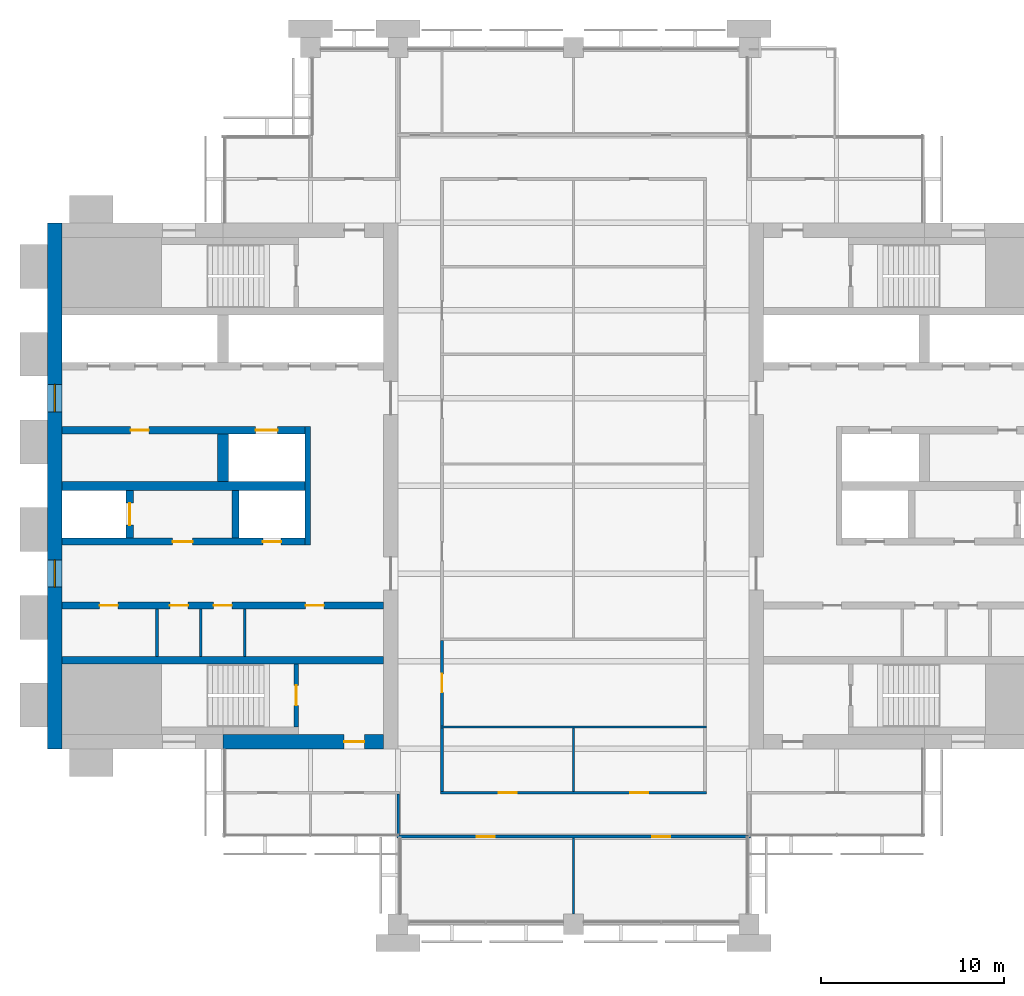
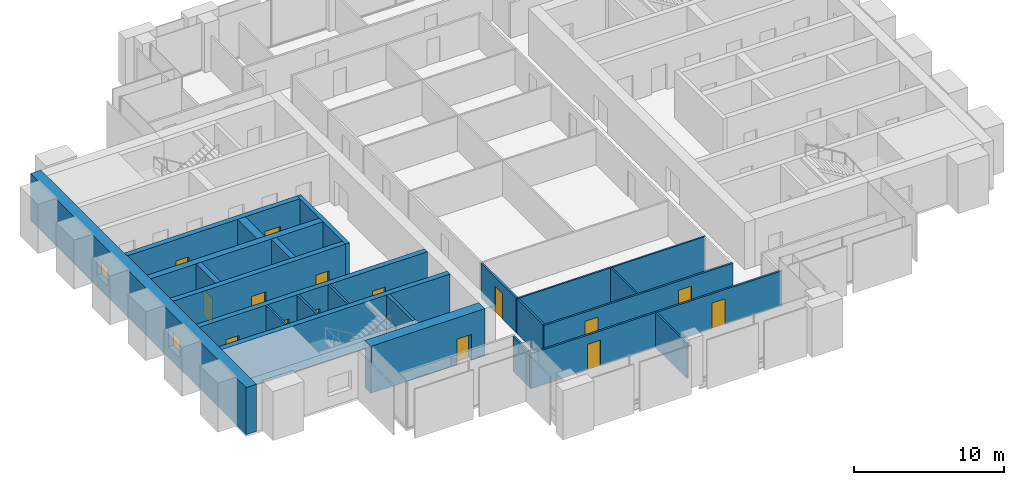
# One storey, part 8 of 13: 23 walls, 16 doors, 2 windows, 18 openings.
"""IFC4 building model written with IfcOpenShell, lengths in metres."""

from ifc_helpers import new_model, si_unit, direction, frame, frame_2d, origin, place, context, subcontext, project, spatial, rectangle, extrude, material, layer, layer_set, type_object, element, fill, save


model = new_model("IFC4")

# Units and contexts
model_context = context("Model", 3, precision=1e-05, world=origin(), true_north=direction((0.0, 1.0)))
body_context = subcontext(model_context, "Body", "Model", "MODEL_VIEW")
ifc_project = project(units=[si_unit("LENGTHUNIT", "METRE"), si_unit("AREAUNIT", "SQUARE_METRE"), si_unit("VOLUMEUNIT", "CUBIC_METRE"), si_unit("PLANEANGLEUNIT", "RADIAN"), si_unit("MASSUNIT", "GRAM", prefix="KILO")], contexts=[model_context])

# Site, building, storey
site_placement = place(None, origin())
site = spatial("IfcSite", under=ifc_project, at=site_placement, CompositionType="ELEMENT")
building_placement = place(site_placement, origin())
building = spatial("IfcBuilding", under=site, at=building_placement, Name="Baori Bourse Tower", CompositionType="ELEMENT")
storey_placement = place(building_placement, frame((0.0, 0.0, 205.199951171875)))
storey = spatial("IfcBuildingStorey", under=building, at=storey_placement, Name="L44", CompositionType="ELEMENT", Elevation=205.199951171875)

# Walls
ifc_material_1 = material(Name="Blockwork partition", Category="masonry")
ifc_layer_1 = layer(ifc_material_1, 0.14990234375)
ifc_layer_set_1 = layer_set([ifc_layer_1], Name="Core partition 150")
wall_type_1 = type_object("IfcWallType", Name="Core partition 150", PredefinedType="PARTITIONING", material=ifc_layer_set_1)
for number, where, z_axis, x_axis, name in (
    (1, (6.0, 14.64990234375, 0.0), (0.0, 0.0, 1.0), (0.0, 1.0, 0.0), "Partition wall W10"),
    (2, (8.39990234375, 14.64990234375, 0.0), (0.0, 0.0, 1.0), (0.0, 1.0, 0.0), "Partition wall W11"),
    (3, (10.800048828125, 14.64990234375, 0.0), (0.0, 0.0, 1.0), (0.0, 1.0, 0.0), "Partition wall W12"),
):
    element("IfcWall", number, at=place(storey_placement, frame(where, z_axis=z_axis, x_axis=x_axis)), inside=storey, type_object=wall_type_1, Name=name, PredefinedType="PARTITIONING", context=body_context, shape_type="SweptSolid", body=[
        extrude(rectangle(XDim=2.60009765625, YDim=0.14990234375, at=frame_2d((1.300048828125, 0.0))), origin(), (0.0, 0.0, 1.0), 3.840087890625),
    ])

# Wall, openings, windows
ifc_material_2 = material(Name="Concrete f'c 50 MPa", Category="concrete")
ifc_layer_2 = layer(ifc_material_2, 0.800048828125)
ifc_layer_set_2 = layer_set([ifc_layer_2], Name="Core wall 800 f'c 50")
wall_type_2 = type_object("IfcWallType", Name="Core wall 800 f'c 50", PredefinedType="SHEAR", material=ifc_layer_set_2)
wall_1_placement = place(storey_placement, frame((0.39990234375, 9.60009765625, 0.0), z_axis=(0.0, 0.0, 1.0), x_axis=(0.0, 1.0, 0.0)))
wall_1 = element("IfcWall", 4, at=wall_1_placement, inside=storey, type_object=wall_type_2, Name="Core wall W01", PredefinedType="SHEAR", context=body_context, shape_type="SweptSolid", body=[
    extrude(rectangle(XDim=28.7998046875, YDim=0.800048828125, at=frame_2d((14.39990234375, 0.0))), origin(), (0.0, 0.0, 1.0), 3.840087890625),
])
opening_1_placement = place(wall_1_placement, frame((8.85009765625, 0.0, 0.89990234375)))
opening_1 = element("IfcOpeningElement", 5, at=opening_1_placement, cuts=wall_1, Name="Opening L44-KW101", PredefinedType="OPENING", context=body_context, shape_type="SweptSolid", body=[
    extrude(rectangle(XDim=1.5, YDim=1.5, at=frame_2d((0.75, 0.75))), frame((0.0, 0.409912109375, 0.0), z_axis=(0.0, -1.0, 0.0), x_axis=(1.0, 0.0, 0.0)), (0.0, 0.0, 1.0), 0.820068359375),
])
opening_2_placement = place(wall_1_placement, frame((18.449951171875, 0.0, 0.89990234375)))
opening_2 = element("IfcOpeningElement", 6, at=opening_2_placement, cuts=wall_1, Name="Opening L44-KW102", PredefinedType="OPENING", context=body_context, shape_type="SweptSolid", body=[
    extrude(rectangle(XDim=1.5, YDim=1.5, at=frame_2d((0.75, 0.75))), frame((0.0, 0.409912109375, 0.0), z_axis=(0.0, -1.0, 0.0), x_axis=(1.0, 0.0, 0.0)), (0.0, 0.0, 1.0), 0.820068359375),
])
ifc_material_3 = material(Name="Pale anodised aluminium", Category="aluminium")
window_type = type_object("IfcWindowType", Name="Lobby window 1500 x 1500", PartitioningType="SINGLE_PANEL", PredefinedType="WINDOW", material=ifc_material_3)
window_1_placement = place(opening_1_placement, origin())
window_1 = element("IfcWindow", 7, at=window_1_placement, inside=storey, type_object=window_type, Name="Outer wall window W L44 1", OverallHeight=1.5, OverallWidth=1.5, PartitioningType="SINGLE_PANEL", PredefinedType="WINDOW", context=body_context, shape_type="SweptSolid", body=[
    extrude(rectangle(XDim=1.5, YDim=1.5, at=frame_2d((0.75, 0.75))), frame((0.0, 0.030029296875, 0.0), z_axis=(0.0, -1.0, 0.0), x_axis=(1.0, 0.0, 0.0)), (0.0, 0.0, 1.0), 0.06005859375),
])
fill(opening_1, window_1)
window_2_placement = place(opening_2_placement, origin())
window_2 = element("IfcWindow", 8, at=window_2_placement, inside=storey, type_object=window_type, Name="Outer wall window W L44 2", OverallHeight=1.5, OverallWidth=1.5, PartitioningType="SINGLE_PANEL", PredefinedType="WINDOW", context=body_context, shape_type="SweptSolid", body=[
    extrude(rectangle(XDim=1.5, YDim=1.5, at=frame_2d((0.75, 0.75))), frame((0.0, 0.030029296875, 0.0), z_axis=(0.0, -1.0, 0.0), x_axis=(1.0, 0.0, 0.0)), (0.0, 0.0, 1.0), 0.06005859375),
])
fill(opening_2, window_2)

# Wall, opening, door
wall_2_placement = place(storey_placement, frame((18.39990234375, 10.0, 0.0), z_axis=(0.0, 0.0, 1.0), x_axis=(-1.0, 0.0, 0.0)))
wall_2 = element("IfcWall", 9, at=wall_2_placement, inside=storey, type_object=wall_type_2, Name="Core wall W03", PredefinedType="SHEAR", context=body_context, shape_type="SweptSolid", body=[
    extrude(rectangle(XDim=8.7998046875, YDim=0.800048828125, at=frame_2d((4.39990234375, 0.0))), origin(), (0.0, 0.0, 1.0), 3.840087890625),
])
opening_3_placement = place(wall_2_placement, frame((1.050048828125, 0.0, 0.0)))
opening_3 = element("IfcOpeningElement", 10, at=opening_3_placement, cuts=wall_2, Name="Opening L44-D102", PredefinedType="OPENING", context=body_context, shape_type="SweptSolid", body=[
    extrude(rectangle(XDim=1.10009765625, YDim=2.10009765625, at=frame_2d((0.550048828125, 1.050048828125))), frame((0.0, 0.409912109375, 0.0), z_axis=(0.0, -1.0, 0.0), x_axis=(1.0, 0.0, 0.0)), (0.0, 0.0, 1.0), 0.820068359375),
])
ifc_material_4 = material(Name="Painted steel door", Category="steel")
door_type_1 = type_object("IfcDoorType", Name="Stair door 1100", OperationType="SINGLE_SWING_LEFT", PredefinedType="DOOR", material=ifc_material_4)
door_1_placement = place(opening_3_placement, origin())
door_1 = element("IfcDoor", 11, at=door_1_placement, inside=storey, type_object=door_type_1, Name="Stair vestibule door A W L44", OperationType="SINGLE_SWING_LEFT", OverallHeight=2.10009765625, OverallWidth=1.10009765625, PredefinedType="DOOR", context=body_context, shape_type="SweptSolid", body=[
    extrude(rectangle(XDim=1.10009765625, YDim=2.10009765625, at=frame_2d((0.550048828125, 1.050048828125))), frame((0.0, 0.02490234375, 0.0), z_axis=(0.0, -1.0, 0.0), x_axis=(1.0, 0.0, 0.0)), (0.0, 0.0, 1.0), 0.050048828125),
])
fill(opening_3, door_1)

# Wall, openings, doors
ifc_material_5 = material(Name="Gypsum board partition")
ifc_layer_3 = layer(ifc_material_5, 0.14990234375)
ifc_layer_set_3 = layer_set([ifc_layer_3], Name="Corridor partition 150")
wall_type_3 = type_object("IfcWallType", Name="Corridor partition 150", PredefinedType="PARTITIONING", material=ifc_layer_set_3)
wall_3_placement = place(storey_placement, frame((19.125, 4.800048828125, 0.0), z_axis=(0.0, 0.0, 1.0), x_axis=(1.0, 0.0, 0.0)))
wall_3 = element("IfcWall", 12, at=wall_3_placement, inside=storey, type_object=wall_type_3, Name="Partition", PredefinedType="PARTITIONING", context=body_context, shape_type="SweptSolid", body=[
    extrude(rectangle(XDim=19.35009765625, YDim=0.14990234375, at=frame_2d((9.675048828125, 0.0))), origin(), (0.0, 0.0, 1.0), 2.849365234375),
])
opening_4_placement = place(wall_3_placement, frame((4.375, 0.0, 0.0)))
opening_4 = element("IfcOpeningElement", 13, at=opening_4_placement, cuts=wall_3, Name="Opening L44-D01", PredefinedType="OPENING", context=body_context, shape_type="SweptSolid", body=[
    extrude(rectangle(XDim=1.0, YDim=2.10009765625, at=frame_2d((0.5, 1.050048828125))), frame((0.0, 0.0849609375, 0.0), z_axis=(0.0, -1.0, 0.0), x_axis=(1.0, 0.0, 0.0)), (0.0, 0.0, 1.0), 0.169921875),
])
opening_5_placement = place(wall_3_placement, frame((13.97509765625, 0.0, 0.0)))
opening_5 = element("IfcOpeningElement", 14, at=opening_5_placement, cuts=wall_3, Name="Opening L44-D02", PredefinedType="OPENING", context=body_context, shape_type="SweptSolid", body=[
    extrude(rectangle(XDim=1.0, YDim=2.10009765625, at=frame_2d((0.5, 1.050048828125))), frame((0.0, 0.0849609375, 0.0), z_axis=(0.0, -1.0, 0.0), x_axis=(1.0, 0.0, 0.0)), (0.0, 0.0, 1.0), 0.169921875),
])
ifc_material_6 = material(Name="Timber door leaf", Category="wood")
door_type_2 = type_object("IfcDoorType", Name="Door 1000 x 2100", OperationType="SINGLE_SWING_LEFT", PredefinedType="DOOR", material=ifc_material_6)
door_2_placement = place(opening_4_placement, origin())
door_2 = element("IfcDoor", 15, at=door_2_placement, inside=storey, type_object=door_type_2, Name="Door", OperationType="SINGLE_SWING_LEFT", OverallHeight=2.10009765625, OverallWidth=1.0, PredefinedType="DOOR", context=body_context, shape_type="SweptSolid", body=[
    extrude(rectangle(XDim=1.0, YDim=2.10009765625, at=frame_2d((0.5, 1.050048828125))), frame((0.0, 0.02490234375, 0.0), z_axis=(0.0, -1.0, 0.0), x_axis=(1.0, 0.0, 0.0)), (0.0, 0.0, 1.0), 0.050048828125),
])
fill(opening_4, door_2)
door_3_placement = place(opening_5_placement, origin())
door_3 = element("IfcDoor", 16, at=door_3_placement, inside=storey, type_object=door_type_2, Name="Door", OperationType="SINGLE_SWING_RIGHT", OverallHeight=2.10009765625, OverallWidth=1.0, PredefinedType="DOOR", context=body_context, shape_type="SweptSolid", body=[
    extrude(rectangle(XDim=1.0, YDim=2.10009765625, at=frame_2d((0.5, 1.050048828125))), frame((0.0, 0.02490234375, 0.0), z_axis=(0.0, -1.0, 0.0), x_axis=(1.0, 0.0, 0.0)), (0.0, 0.0, 1.0), 0.050048828125),
])
fill(opening_5, door_3)

wall_4_placement = place(storey_placement, frame((21.52490234375, 7.199951171875, 0.0), z_axis=(0.0, 0.0, 1.0), x_axis=(1.0, 0.0, 0.0)))
wall_4 = element("IfcWall", 17, at=wall_4_placement, inside=storey, type_object=wall_type_3, Name="Partition", PredefinedType="PARTITIONING", context=body_context, shape_type="SweptSolid", body=[
    extrude(rectangle(XDim=14.550048828125, YDim=0.14990234375, at=frame_2d((7.27490234375, 0.0))), origin(), (0.0, 0.0, 1.0), 2.849365234375),
])
opening_6_placement = place(wall_4_placement, frame((3.175048828125, 0.0, 0.0)))
opening_6 = element("IfcOpeningElement", 18, at=opening_6_placement, cuts=wall_4, Name="Opening L44-D05", PredefinedType="OPENING", context=body_context, shape_type="SweptSolid", body=[
    extrude(rectangle(XDim=1.0, YDim=2.10009765625, at=frame_2d((0.5, 1.050048828125))), frame((0.0, 0.0849609375, 0.0), z_axis=(0.0, -1.0, 0.0), x_axis=(1.0, 0.0, 0.0)), (0.0, 0.0, 1.0), 0.169921875),
])
opening_7_placement = place(wall_4_placement, frame((10.375, 0.0, 0.0)))
opening_7 = element("IfcOpeningElement", 19, at=opening_7_placement, cuts=wall_4, Name="Opening L44-D06", PredefinedType="OPENING", context=body_context, shape_type="SweptSolid", body=[
    extrude(rectangle(XDim=1.0, YDim=2.10009765625, at=frame_2d((0.5, 1.050048828125))), frame((0.0, 0.0849609375, 0.0), z_axis=(0.0, -1.0, 0.0), x_axis=(1.0, 0.0, 0.0)), (0.0, 0.0, 1.0), 0.169921875),
])
door_4_placement = place(opening_6_placement, origin())
door_4 = element("IfcDoor", 20, at=door_4_placement, inside=storey, type_object=door_type_2, Name="Door", OperationType="SINGLE_SWING_RIGHT", OverallHeight=2.10009765625, OverallWidth=1.0, PredefinedType="DOOR", context=body_context, shape_type="SweptSolid", body=[
    extrude(rectangle(XDim=1.0, YDim=2.10009765625, at=frame_2d((0.5, 1.050048828125))), frame((0.0, 0.02490234375, 0.0), z_axis=(0.0, -1.0, 0.0), x_axis=(1.0, 0.0, 0.0)), (0.0, 0.0, 1.0), 0.050048828125),
])
fill(opening_6, door_4)
door_5_placement = place(opening_7_placement, origin())
door_5 = element("IfcDoor", 21, at=door_5_placement, inside=storey, type_object=door_type_2, Name="Door", OperationType="SINGLE_SWING_LEFT", OverallHeight=2.10009765625, OverallWidth=1.0, PredefinedType="DOOR", context=body_context, shape_type="SweptSolid", body=[
    extrude(rectangle(XDim=1.0, YDim=2.10009765625, at=frame_2d((0.5, 1.050048828125))), frame((0.0, 0.02490234375, 0.0), z_axis=(0.0, -1.0, 0.0), x_axis=(1.0, 0.0, 0.0)), (0.0, 0.0, 1.0), 0.050048828125),
])
fill(opening_7, door_5)

# Walls
wall_5_placement = place(storey_placement, frame((19.199951171875, 4.875, 0.0), z_axis=(0.0, 0.0, 1.0), x_axis=(0.0, 1.0, 0.0)))
element("IfcWall", 22, at=wall_5_placement, inside=storey, type_object=wall_type_3, Name="Partition", PredefinedType="PARTITIONING", context=body_context, shape_type="SweptSolid", body=[
    extrude(rectangle(XDim=2.25, YDim=0.14990234375, at=frame_2d((1.125, 0.0))), origin(), (0.0, 0.0, 1.0), 2.849365234375),
])
wall_6_placement = place(storey_placement, frame((21.60009765625, 7.27490234375, 0.0), z_axis=(0.0, 0.0, 1.0), x_axis=(0.0, 1.0, 0.0)))
element("IfcWall", 23, at=wall_6_placement, inside=storey, type_object=wall_type_3, Name="Partition", PredefinedType="PARTITIONING", context=body_context, shape_type="SweptSolid", body=[
    extrude(rectangle(XDim=3.462646484375, YDim=0.14990234375, at=frame_2d((1.7314453125, 0.0))), origin(), (0.0, 0.0, 1.0), 2.849365234375),
])

# Wall, opening, door
wall_7_placement = place(storey_placement, frame((21.60009765625, 10.862548828125, 0.0), z_axis=(0.0, 0.0, 1.0), x_axis=(0.0, 1.0, 0.0)))
wall_7 = element("IfcWall", 24, at=wall_7_placement, inside=storey, type_object=wall_type_3, Name="Partition", PredefinedType="PARTITIONING", context=body_context, shape_type="SweptSolid", body=[
    extrude(rectangle(XDim=4.675048828125, YDim=0.14990234375, at=frame_2d((2.33740234375, 0.0))), origin(), (0.0, 0.0, 1.0), 2.849365234375),
])
opening_8_placement = place(wall_7_placement, frame((1.83740234375, 0.0, 0.0)))
opening_8 = element("IfcOpeningElement", 25, at=opening_8_placement, cuts=wall_7, Name="Opening L44-D16", PredefinedType="OPENING", context=body_context, shape_type="SweptSolid", body=[
    extrude(rectangle(XDim=1.0, YDim=2.10009765625, at=frame_2d((0.5, 1.050048828125))), frame((0.0, 0.0849609375, 0.0), z_axis=(0.0, -1.0, 0.0), x_axis=(1.0, 0.0, 0.0)), (0.0, 0.0, 1.0), 0.169921875),
])
door_6_placement = place(opening_8_placement, origin())
door_6 = element("IfcDoor", 26, at=door_6_placement, inside=storey, type_object=door_type_2, Name="Door", OperationType="SINGLE_SWING_LEFT", OverallHeight=2.10009765625, OverallWidth=1.0, PredefinedType="DOOR", context=body_context, shape_type="SweptSolid", body=[
    extrude(rectangle(XDim=1.0, YDim=2.10009765625, at=frame_2d((0.5, 1.050048828125))), frame((0.0, 0.02490234375, 0.0), z_axis=(0.0, -1.0, 0.0), x_axis=(1.0, 0.0, 0.0)), (0.0, 0.0, 1.0), 0.050048828125),
])
fill(opening_8, door_6)

# Walls
ifc_material_7 = material(Name="Gypsum board partition")
ifc_layer_4 = layer(ifc_material_7, 0.125)
ifc_layer_set_4 = layer_set([ifc_layer_4], Name="Partition 125")
wall_type_4 = type_object("IfcWallType", Name="Partition 125", PredefinedType="PARTITIONING", material=ifc_layer_set_4)
wall_8_placement = place(storey_placement, frame((21.52490234375, 10.800048828125, 0.0), z_axis=(0.0, 0.0, 1.0), x_axis=(1.0, 0.0, 0.0)))
element("IfcWall", 27, at=wall_8_placement, inside=storey, type_object=wall_type_4, Name="Partition", PredefinedType="PARTITIONING", context=body_context, shape_type="SweptSolid", body=[
    extrude(rectangle(XDim=14.550048828125, YDim=0.125, at=frame_2d((7.27490234375, 0.0))), origin(), (0.0, 0.0, 1.0), 2.849365234375),
])
wall_9_placement = place(storey_placement, frame((28.800048828125, 0.550048828125, 0.0), z_axis=(0.0, 0.0, 1.0), x_axis=(0.0, 1.0, 0.0)))
element("IfcWall", 28, at=wall_9_placement, inside=storey, type_object=wall_type_4, Name="Partition", PredefinedType="PARTITIONING", context=body_context, shape_type="SweptSolid", body=[
    extrude(rectangle(XDim=4.175048828125, YDim=0.125, at=frame_2d((2.08740234375, 0.0))), origin(), (0.0, 0.0, 1.0), 2.849365234375),
])
wall_10_placement = place(storey_placement, frame((28.800048828125, 7.27490234375, 0.0), z_axis=(0.0, 0.0, 1.0), x_axis=(0.0, 1.0, 0.0)))
element("IfcWall", 29, at=wall_10_placement, inside=storey, type_object=wall_type_4, Name="Partition", PredefinedType="PARTITIONING", context=body_context, shape_type="SweptSolid", body=[
    extrude(rectangle(XDim=3.462646484375, YDim=0.125, at=frame_2d((1.7314453125, 0.0))), origin(), (0.0, 0.0, 1.0), 2.849365234375),
])

# Wall, opening, door
ifc_material_8 = material(Name="Concrete f'c 50 MPa", Category="concrete")
ifc_layer_5 = layer(ifc_material_8, 0.25)
ifc_layer_set_5 = layer_set([ifc_layer_5], Name="Shaft wall 250 f'c 50")
wall_type_5 = type_object("IfcWallType", Name="Shaft wall 250 f'c 50", PredefinedType="SHEAR", material=ifc_layer_set_5)
wall_11_placement = place(storey_placement, frame((13.625, 10.800048828125, 0.0), z_axis=(0.0, 0.0, 1.0), x_axis=(0.0, 1.0, 0.0)))
wall_11 = element("IfcWall", 30, at=wall_11_placement, inside=storey, type_object=wall_type_5, Name="Core wall W08", PredefinedType="SHEAR", context=body_context, shape_type="SweptSolid", body=[
    extrude(rectangle(XDim=3.449951171875, YDim=0.25, at=frame_2d((1.72509765625, 0.0))), origin(), (0.0, 0.0, 1.0), 3.840087890625),
])
opening_9_placement = place(wall_11_placement, frame((1.175048828125, 0.0, 0.0)))
opening_9 = element("IfcOpeningElement", 31, at=opening_9_placement, cuts=wall_11, Name="Opening L44-D101", PredefinedType="OPENING", context=body_context, shape_type="SweptSolid", body=[
    extrude(rectangle(XDim=1.10009765625, YDim=2.10009765625, at=frame_2d((0.550048828125, 1.050048828125))), frame((0.0, 0.135009765625, 0.0), z_axis=(0.0, -1.0, 0.0), x_axis=(1.0, 0.0, 0.0)), (0.0, 0.0, 1.0), 0.27001953125),
])
door_7_placement = place(opening_9_placement, origin())
door_7 = element("IfcDoor", 32, at=door_7_placement, inside=storey, type_object=door_type_1, Name="Stair door A W L44", OperationType="SINGLE_SWING_LEFT", OverallHeight=2.10009765625, OverallWidth=1.10009765625, PredefinedType="DOOR", context=body_context, shape_type="SweptSolid", body=[
    extrude(rectangle(XDim=1.10009765625, YDim=2.10009765625, at=frame_2d((0.550048828125, 1.050048828125))), frame((0.0, 0.02490234375, 0.0), z_axis=(0.0, -1.0, 0.0), x_axis=(1.0, 0.0, 0.0)), (0.0, 0.0, 1.0), 0.050048828125),
])
fill(opening_9, door_7)

# Walls
ifc_material_9 = material(Name="Concrete f'c 50 MPa", Category="concrete")
ifc_layer_6 = layer(ifc_material_9, 0.300048828125)
ifc_layer_set_6 = layer_set([ifc_layer_6], Name="Shaft wall 300 f'c 50")
wall_type_6 = type_object("IfcWallType", Name="Shaft wall 300 f'c 50", PredefinedType="SHEAR", material=ifc_layer_set_6)
wall_12_placement = place(storey_placement, frame((14.25, 20.75, 0.0), z_axis=(0.0, 0.0, 1.0), x_axis=(0.0, 1.0, 0.0)))
element("IfcWall", 33, at=wall_12_placement, inside=storey, type_object=wall_type_6, Name="Core wall W15", PredefinedType="SHEAR", context=body_context, shape_type="SweptSolid", body=[
    extrude(rectangle(XDim=6.5, YDim=0.300048828125, at=frame_2d((3.25, 0.0))), origin(), (0.0, 0.0, 1.0), 3.840087890625),
])
ifc_material_10 = material(Name="Concrete f'c 50 MPa", Category="concrete")
ifc_layer_7 = layer(ifc_material_10, 0.39990234375)
ifc_layer_set_7 = layer_set([ifc_layer_7], Name="Shaft wall 400 f'c 50")
wall_type_7 = type_object("IfcWallType", Name="Shaft wall 400 f'c 50", PredefinedType="SHEAR", material=ifc_layer_set_7)
wall_13_placement = place(storey_placement, frame((0.800048828125, 14.449951171875, 0.0), z_axis=(0.0, 0.0, 1.0), x_axis=(1.0, 0.0, 0.0)))
element("IfcWall", 34, at=wall_13_placement, inside=storey, type_object=wall_type_7, Name="Core wall W09", PredefinedType="SHEAR", context=body_context, shape_type="SweptSolid", body=[
    extrude(rectangle(XDim=17.599853515625, YDim=0.39990234375, at=frame_2d((8.7998046875, 0.0))), origin(), (0.0, 0.0, 1.0), 3.840087890625),
])

# Wall, openings, doors
wall_14_placement = place(storey_placement, frame((0.800048828125, 17.449951171875, 0.0), z_axis=(0.0, 0.0, 1.0), x_axis=(1.0, 0.0, 0.0)))
wall_14 = element("IfcWall", 35, at=wall_14_placement, inside=storey, type_object=wall_type_7, Name="Core wall W13", PredefinedType="SHEAR", context=body_context, shape_type="SweptSolid", body=[
    extrude(rectangle(XDim=17.599853515625, YDim=0.39990234375, at=frame_2d((8.7998046875, 0.0))), origin(), (0.0, 0.0, 1.0), 3.840087890625),
])
opening_10_placement = place(wall_14_placement, frame((2.0625, 0.0, 0.0)))
opening_10 = element("IfcOpeningElement", 36, at=opening_10_placement, cuts=wall_14, Name="Opening L44-D109", PredefinedType="OPENING", context=body_context, shape_type="SweptSolid", body=[
    extrude(rectangle(XDim=1.0, YDim=2.10009765625, at=frame_2d((0.5, 1.050048828125))), frame((0.0, 0.2099609375, 0.0), z_axis=(0.0, -1.0, 0.0), x_axis=(1.0, 0.0, 0.0)), (0.0, 0.0, 1.0), 0.419921875),
])
opening_11_placement = place(wall_14_placement, frame((5.89990234375, 0.0, 0.0)))
opening_11 = element("IfcOpeningElement", 37, at=opening_11_placement, cuts=wall_14, Name="Opening L44-D110", PredefinedType="OPENING", context=body_context, shape_type="SweptSolid", body=[
    extrude(rectangle(XDim=1.0, YDim=2.10009765625, at=frame_2d((0.5, 1.050048828125))), frame((0.0, 0.2099609375, 0.0), z_axis=(0.0, -1.0, 0.0), x_axis=(1.0, 0.0, 0.0)), (0.0, 0.0, 1.0), 0.419921875),
])
opening_12_placement = place(wall_14_placement, frame((8.300048828125, 0.0, 0.0)))
opening_12 = element("IfcOpeningElement", 38, at=opening_12_placement, cuts=wall_14, Name="Opening L44-D111", PredefinedType="OPENING", context=body_context, shape_type="SweptSolid", body=[
    extrude(rectangle(XDim=1.0, YDim=2.10009765625, at=frame_2d((0.5, 1.050048828125))), frame((0.0, 0.2099609375, 0.0), z_axis=(0.0, -1.0, 0.0), x_axis=(1.0, 0.0, 0.0)), (0.0, 0.0, 1.0), 0.419921875),
])
opening_13_placement = place(wall_14_placement, frame((13.33740234375, 0.0, 0.0)))
opening_13 = element("IfcOpeningElement", 39, at=opening_13_placement, cuts=wall_14, Name="Opening L44-D112", PredefinedType="OPENING", context=body_context, shape_type="SweptSolid", body=[
    extrude(rectangle(XDim=1.0, YDim=2.10009765625, at=frame_2d((0.5, 1.050048828125))), frame((0.0, 0.2099609375, 0.0), z_axis=(0.0, -1.0, 0.0), x_axis=(1.0, 0.0, 0.0)), (0.0, 0.0, 1.0), 0.419921875),
])
ifc_material_11 = material(Name="Painted steel door", Category="steel")
door_type_3 = type_object("IfcDoorType", Name="Core door 1000", OperationType="SINGLE_SWING_LEFT", PredefinedType="DOOR", material=ifc_material_11)
door_8_placement = place(opening_10_placement, origin())
door_8 = element("IfcDoor", 40, at=door_8_placement, inside=storey, type_object=door_type_3, Name="Women'S Wc door W L44", OperationType="SINGLE_SWING_LEFT", OverallHeight=2.10009765625, OverallWidth=1.0, PredefinedType="DOOR", context=body_context, shape_type="SweptSolid", body=[
    extrude(rectangle(XDim=1.0, YDim=2.10009765625, at=frame_2d((0.5, 1.050048828125))), frame((0.0, 0.02490234375, 0.0), z_axis=(0.0, -1.0, 0.0), x_axis=(1.0, 0.0, 0.0)), (0.0, 0.0, 1.0), 0.050048828125),
])
fill(opening_10, door_8)
door_9_placement = place(opening_11_placement, origin())
door_9 = element("IfcDoor", 41, at=door_9_placement, inside=storey, type_object=door_type_3, Name="Accessible Wc door W L44", OperationType="SINGLE_SWING_LEFT", OverallHeight=2.10009765625, OverallWidth=1.0, PredefinedType="DOOR", context=body_context, shape_type="SweptSolid", body=[
    extrude(rectangle(XDim=1.0, YDim=2.10009765625, at=frame_2d((0.5, 1.050048828125))), frame((0.0, 0.02490234375, 0.0), z_axis=(0.0, -1.0, 0.0), x_axis=(1.0, 0.0, 0.0)), (0.0, 0.0, 1.0), 0.050048828125),
])
fill(opening_11, door_9)
door_10_placement = place(opening_13_placement, origin())
door_10 = element("IfcDoor", 42, at=door_10_placement, inside=storey, type_object=door_type_3, Name="Men'S Wc door W L44", OperationType="SINGLE_SWING_LEFT", OverallHeight=2.10009765625, OverallWidth=1.0, PredefinedType="DOOR", context=body_context, shape_type="SweptSolid", body=[
    extrude(rectangle(XDim=1.0, YDim=2.10009765625, at=frame_2d((0.5, 1.050048828125))), frame((0.0, 0.02490234375, 0.0), z_axis=(0.0, -1.0, 0.0), x_axis=(1.0, 0.0, 0.0)), (0.0, 0.0, 1.0), 0.050048828125),
])
fill(opening_13, door_10)
ifc_material_12 = material(Name="Painted steel door", Category="steel")
door_type_4 = type_object("IfcDoorType", Name="Plant room door 1000", OperationType="SINGLE_SWING_LEFT", PredefinedType="DOOR", material=ifc_material_12)
door_11_placement = place(opening_12_placement, origin())
door_11 = element("IfcDoor", 43, at=door_11_placement, inside=storey, type_object=door_type_4, Name="Electrical Room door W L44", OperationType="SINGLE_SWING_LEFT", OverallHeight=2.10009765625, OverallWidth=1.0, PredefinedType="DOOR", context=body_context, shape_type="SweptSolid", body=[
    extrude(rectangle(XDim=1.0, YDim=2.10009765625, at=frame_2d((0.5, 1.050048828125))), frame((0.0, 0.02490234375, 0.0), z_axis=(0.0, -1.0, 0.0), x_axis=(1.0, 0.0, 0.0)), (0.0, 0.0, 1.0), 0.050048828125),
])
fill(opening_12, door_11)

wall_15_placement = place(storey_placement, frame((0.800048828125, 20.949951171875, 0.0), z_axis=(0.0, 0.0, 1.0), x_axis=(1.0, 0.0, 0.0)))
wall_15 = element("IfcWall", 44, at=wall_15_placement, inside=storey, type_object=wall_type_7, Name="Core wall W14", PredefinedType="SHEAR", context=body_context, shape_type="SweptSolid", body=[
    extrude(rectangle(XDim=13.300048828125, YDim=0.39990234375, at=frame_2d((6.64990234375, 0.0))), origin(), (0.0, 0.0, 1.0), 3.840087890625),
])
opening_14_placement = place(wall_15_placement, frame((6.050048828125, 0.0, 0.0)))
opening_14 = element("IfcOpeningElement", 45, at=opening_14_placement, cuts=wall_15, Name="Opening L44-D105", PredefinedType="OPENING", context=body_context, shape_type="SweptSolid", body=[
    extrude(rectangle(XDim=1.10009765625, YDim=2.10009765625, at=frame_2d((0.550048828125, 1.050048828125))), frame((0.0, 0.2099609375, 0.0), z_axis=(0.0, -1.0, 0.0), x_axis=(1.0, 0.0, 0.0)), (0.0, 0.0, 1.0), 0.419921875),
])
opening_15_placement = place(wall_15_placement, frame((11.0, 0.0, 0.0)))
opening_15 = element("IfcOpeningElement", 46, at=opening_15_placement, cuts=wall_15, Name="Opening L44-D106", PredefinedType="OPENING", context=body_context, shape_type="SweptSolid", body=[
    extrude(rectangle(XDim=1.0, YDim=2.10009765625, at=frame_2d((0.5, 1.050048828125))), frame((0.0, 0.2099609375, 0.0), z_axis=(0.0, -1.0, 0.0), x_axis=(1.0, 0.0, 0.0)), (0.0, 0.0, 1.0), 0.419921875),
])
ifc_material_13 = material(Name="Painted steel door", Category="steel")
door_type_5 = type_object("IfcDoorType", Name="Lobby door 1100", OperationType="SINGLE_SWING_LEFT", PredefinedType="DOOR", material=ifc_material_13)
door_12_placement = place(opening_14_placement, origin())
door_12 = element("IfcDoor", 47, at=door_12_placement, inside=storey, type_object=door_type_5, Name="Firefighting lobby door W L44", OperationType="SINGLE_SWING_LEFT", OverallHeight=2.10009765625, OverallWidth=1.10009765625, PredefinedType="DOOR", context=body_context, shape_type="SweptSolid", body=[
    extrude(rectangle(XDim=1.10009765625, YDim=2.10009765625, at=frame_2d((0.550048828125, 1.050048828125))), frame((0.0, 0.02490234375, 0.0), z_axis=(0.0, -1.0, 0.0), x_axis=(1.0, 0.0, 0.0)), (0.0, 0.0, 1.0), 0.050048828125),
])
fill(opening_14, door_12)
ifc_material_14 = material(Name="Painted steel door", Category="steel")
door_type_6 = type_object("IfcDoorType", Name="Shaft door 1000", OperationType="SINGLE_SWING_LEFT", PredefinedType="DOOR", material=ifc_material_14)
door_13_placement = place(opening_15_placement, origin())
door_13 = element("IfcDoor", 48, at=door_13_placement, inside=storey, type_object=door_type_6, Name="Riser room door W L44", OperationType="SINGLE_SWING_LEFT", OverallHeight=2.10009765625, OverallWidth=1.0, PredefinedType="DOOR", context=body_context, shape_type="SweptSolid", body=[
    extrude(rectangle(XDim=1.0, YDim=2.10009765625, at=frame_2d((0.5, 1.050048828125))), frame((0.0, 0.02490234375, 0.0), z_axis=(0.0, -1.0, 0.0), x_axis=(1.0, 0.0, 0.0)), (0.0, 0.0, 1.0), 0.050048828125),
])
fill(opening_15, door_13)

# Wall, opening, door
wall_16_placement = place(storey_placement, frame((4.5, 21.14990234375, 0.0), z_axis=(0.0, 0.0, 1.0), x_axis=(0.0, 1.0, 0.0)))
wall_16 = element("IfcWall", 49, at=wall_16_placement, inside=storey, type_object=wall_type_7, Name="Core wall W16", PredefinedType="SHEAR", context=body_context, shape_type="SweptSolid", body=[
    extrude(rectangle(XDim=2.60009765625, YDim=0.39990234375, at=frame_2d((1.300048828125, 0.0))), origin(), (0.0, 0.0, 1.0), 3.840087890625),
])
opening_16_placement = place(wall_16_placement, frame((0.699951171875, 0.0, 0.0)))
opening_16 = element("IfcOpeningElement", 50, at=opening_16_placement, cuts=wall_16, Name="Opening L44-D121", PredefinedType="OPENING", context=body_context, shape_type="SweptSolid", body=[
    extrude(rectangle(XDim=1.199951171875, YDim=2.10009765625, at=frame_2d((0.60009765625, 1.050048828125))), frame((0.0, 0.2099609375, 0.0), z_axis=(0.0, -1.0, 0.0), x_axis=(1.0, 0.0, 0.0)), (0.0, 0.0, 1.0), 0.419921875),
])
ifc_material_15 = material(Name="Stainless steel door", Category="steel")
door_type_7 = type_object("IfcDoorType", Name="Lift landing door", OperationType="DOUBLE_DOOR_SLIDING", PredefinedType="DOOR", material=ifc_material_15)
door_14_placement = place(opening_16_placement, origin())
door_14 = element("IfcDoor", 51, at=door_14_placement, inside=storey, type_object=door_type_7, Name="Lift landing door FF1 W L44", OperationType="DOUBLE_DOOR_SLIDING", OverallHeight=2.10009765625, OverallWidth=1.199951171875, PredefinedType="DOOR", context=body_context, shape_type="SweptSolid", body=[
    extrude(rectangle(XDim=1.199951171875, YDim=2.10009765625, at=frame_2d((0.60009765625, 1.050048828125))), frame((0.0, 0.02490234375, 0.0), z_axis=(0.0, -1.0, 0.0), x_axis=(1.0, 0.0, 0.0)), (0.0, 0.0, 1.0), 0.050048828125),
])
fill(opening_16, door_14)

# Wall
wall_17_placement = place(storey_placement, frame((10.300048828125, 21.14990234375, 0.0), z_axis=(0.0, 0.0, 1.0), x_axis=(0.0, 1.0, 0.0)))
element("IfcWall", 52, at=wall_17_placement, inside=storey, type_object=wall_type_7, Name="Core wall W17", PredefinedType="SHEAR", context=body_context, shape_type="SweptSolid", body=[
    extrude(rectangle(XDim=2.60009765625, YDim=0.39990234375, at=frame_2d((1.300048828125, 0.0))), origin(), (0.0, 0.0, 1.0), 3.840087890625),
])

# Wall, openings, doors
wall_18_placement = place(storey_placement, frame((0.800048828125, 27.050048828125, 0.0), z_axis=(0.0, 0.0, 1.0), x_axis=(1.0, 0.0, 0.0)))
wall_18 = element("IfcWall", 53, at=wall_18_placement, inside=storey, type_object=wall_type_7, Name="Core wall W20", PredefinedType="SHEAR", context=body_context, shape_type="SweptSolid", body=[
    extrude(rectangle(XDim=13.300048828125, YDim=0.39990234375, at=frame_2d((6.64990234375, 0.0))), origin(), (0.0, 0.0, 1.0), 3.840087890625),
])
opening_17_placement = place(wall_18_placement, frame((3.75, 0.0, 0.0)))
opening_17 = element("IfcOpeningElement", 54, at=opening_17_placement, cuts=wall_18, Name="Opening L44-D113", PredefinedType="OPENING", context=body_context, shape_type="SweptSolid", body=[
    extrude(rectangle(XDim=1.0, YDim=2.10009765625, at=frame_2d((0.5, 1.050048828125))), frame((0.0, 0.2099609375, 0.0), z_axis=(0.0, -1.0, 0.0), x_axis=(1.0, 0.0, 0.0)), (0.0, 0.0, 1.0), 0.419921875),
])
opening_18_placement = place(wall_18_placement, frame((10.60009765625, 0.0, 0.0)))
opening_18 = element("IfcOpeningElement", 55, at=opening_18_placement, cuts=wall_18, Name="Opening L44-D120", PredefinedType="OPENING", context=body_context, shape_type="SweptSolid", body=[
    extrude(rectangle(XDim=1.199951171875, YDim=2.10009765625, at=frame_2d((0.60009765625, 1.050048828125))), frame((0.0, 0.2099609375, 0.0), z_axis=(0.0, -1.0, 0.0), x_axis=(1.0, 0.0, 0.0)), (0.0, 0.0, 1.0), 0.419921875),
])
door_15_placement = place(opening_17_placement, origin())
door_15 = element("IfcDoor", 56, at=door_15_placement, inside=storey, type_object=door_type_3, Name="Recycling Room door W L44", OperationType="SINGLE_SWING_LEFT", OverallHeight=2.10009765625, OverallWidth=1.0, PredefinedType="DOOR", context=body_context, shape_type="SweptSolid", body=[
    extrude(rectangle(XDim=1.0, YDim=2.10009765625, at=frame_2d((0.5, 1.050048828125))), frame((0.0, 0.02490234375, 0.0), z_axis=(0.0, -1.0, 0.0), x_axis=(1.0, 0.0, 0.0)), (0.0, 0.0, 1.0), 0.050048828125),
])
fill(opening_17, door_15)
door_16_placement = place(opening_18_placement, origin())
door_16 = element("IfcDoor", 57, at=door_16_placement, inside=storey, type_object=door_type_7, Name="Lift landing door SV1 W L44", OperationType="DOUBLE_DOOR_SLIDING", OverallHeight=2.10009765625, OverallWidth=1.199951171875, PredefinedType="DOOR", context=body_context, shape_type="SweptSolid", body=[
    extrude(rectangle(XDim=1.199951171875, YDim=2.10009765625, at=frame_2d((0.60009765625, 1.050048828125))), frame((0.0, 0.02490234375, 0.0), z_axis=(0.0, -1.0, 0.0), x_axis=(1.0, 0.0, 0.0)), (0.0, 0.0, 1.0), 0.050048828125),
])
fill(opening_18, door_16)

# Walls
ifc_material_16 = material(Name="Concrete f'c 50 MPa", Category="concrete")
ifc_layer_8 = layer(ifc_material_16, 0.5)
ifc_layer_set_8 = layer_set([ifc_layer_8], Name="Shaft wall 500 f'c 50")
wall_type_8 = type_object("IfcWallType", Name="Shaft wall 500 f'c 50", PredefinedType="SHEAR", material=ifc_layer_set_8)
wall_19_placement = place(storey_placement, frame((0.800048828125, 24.0, 0.0), z_axis=(0.0, 0.0, 1.0), x_axis=(1.0, 0.0, 0.0)))
element("IfcWall", 58, at=wall_19_placement, inside=storey, type_object=wall_type_8, Name="Core wall W18", PredefinedType="SHEAR", context=body_context, shape_type="SweptSolid", body=[
    extrude(rectangle(XDim=13.300048828125, YDim=0.5, at=frame_2d((6.64990234375, 0.0))), origin(), (0.0, 0.0, 1.0), 3.840087890625),
])
ifc_material_17 = material(Name="Concrete f'c 50 MPa", Category="concrete")
ifc_layer_9 = layer(ifc_material_17, 0.60009765625)
ifc_layer_set_9 = layer_set([ifc_layer_9], Name="Shaft wall 600 f'c 50")
wall_type_9 = type_object("IfcWallType", Name="Shaft wall 600 f'c 50", PredefinedType="SHEAR", material=ifc_layer_set_9)
wall_20_placement = place(storey_placement, frame((9.60009765625, 24.25, 0.0), z_axis=(0.0, 0.0, 1.0), x_axis=(0.0, 1.0, 0.0)))
element("IfcWall", 59, at=wall_20_placement, inside=storey, type_object=wall_type_9, Name="Core wall W19", PredefinedType="SHEAR", context=body_context, shape_type="SweptSolid", body=[
    extrude(rectangle(XDim=2.60009765625, YDim=0.60009765625, at=frame_2d((1.300048828125, 0.0))), origin(), (0.0, 0.0, 1.0), 3.840087890625),
])

save(model, "model.ifc")
